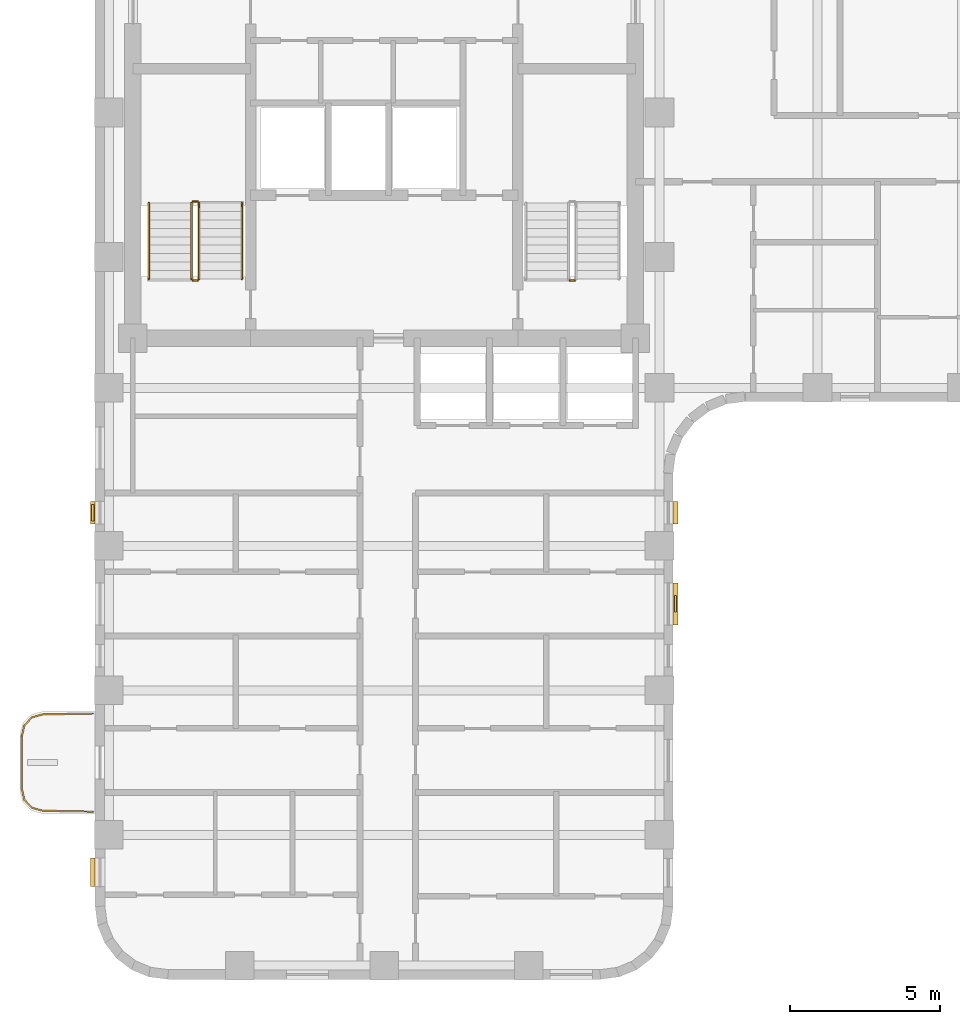
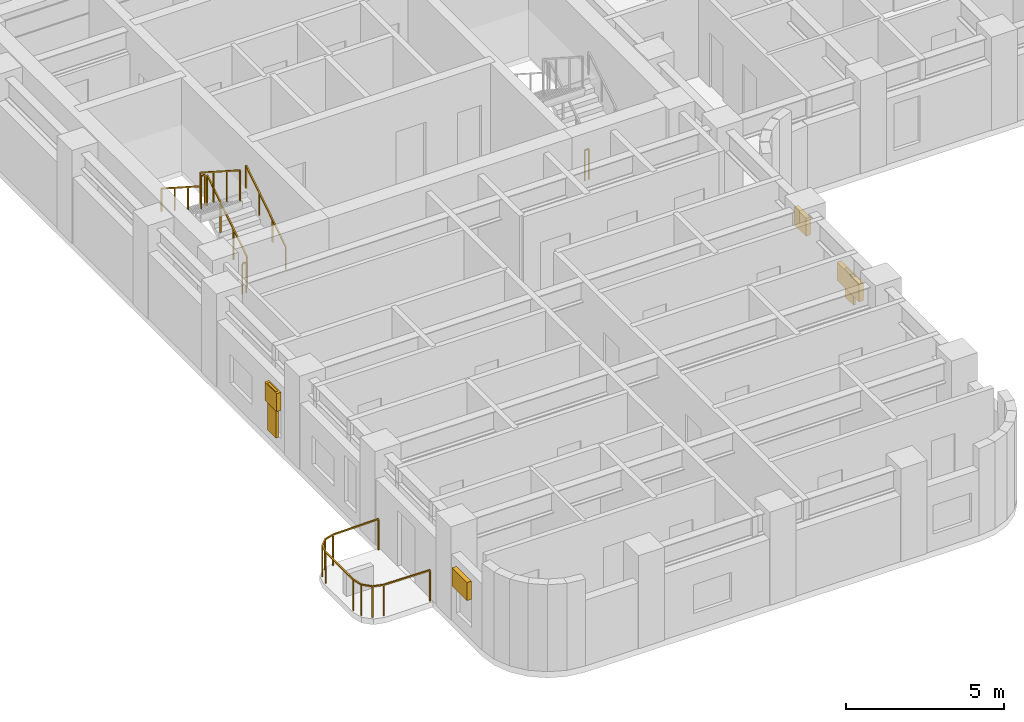
# One storey, part 8 of 10: 8 railings, 6 shading devices.
"""IFC4 building model written with IfcOpenShell, lengths in metres."""

from ifc_helpers import new_model, si_unit, direction, frame, origin, origin_2d, place, context, subcontext, project, spatial, rectangle, extrude, material, type_object, element, save


model = new_model("IFC4")

# Units and contexts
model_context = context("Model", 3, precision=1e-05, world=origin(), true_north=direction((0.0, 1.0)))
body_context = subcontext(model_context, "Body", "Model", "MODEL_VIEW")
ifc_project = project(units=[si_unit("LENGTHUNIT", "METRE"), si_unit("AREAUNIT", "SQUARE_METRE"), si_unit("VOLUMEUNIT", "CUBIC_METRE"), si_unit("PLANEANGLEUNIT", "RADIAN"), si_unit("MASSUNIT", "GRAM", prefix="KILO")], contexts=[model_context])

# Site, building, storey
site_placement = place(None, origin())
site = spatial("IfcSite", under=ifc_project, at=site_placement, CompositionType="ELEMENT")
building_placement = place(site_placement, origin())
building = spatial("IfcBuilding", under=site, at=building_placement, Name="Orvandelia Arch Residences", CompositionType="ELEMENT")
storey_placement = place(building_placement, frame((0.0, 0.0, 118.0)))
storey = spatial("IfcBuildingStorey", under=building, at=storey_placement, Name="L30", CompositionType="ELEMENT", Elevation=118.0)

# Railings
ifc_material_1 = material(Name="Marine-Grade Stainless Steel 316", Category="steel")
railing_type_1 = type_object("IfcRailingType", Name="GRD-BAL-1200", PredefinedType="BALUSTRADE", material=ifc_material_1)
railing_1_placement = place(storey_placement, frame((4.728271484375, 18.430419921875, 0.0)))
element("IfcRailing", 1, at=railing_1_placement, inside=storey, type_object=railing_type_1, Name="Safety Balustrade Guard GRD-L30-BAL-L30-W1-1", PredefinedType="BALUSTRADE", context=body_context, shape_type="SweptSolid", body=[
    extrude(rectangle(XDim=0.048095703125, YDim=0.048095703125, at=origin_2d()), frame((0.0, 0.0, 1.19580078125), z_axis=(-0.999834751713, -0.018178813668, 0.0), x_axis=(0.018178813668, -0.999834751713, 0.0)), (0.0, 0.0, 1.0), 1.6787109375),
    extrude(rectangle(XDim=0.048095703125, YDim=0.048095703125, at=origin_2d()), frame((-1.678466796875, -0.030517578125, 1.19580078125), z_axis=(-0.96348920644, -0.267747173792, 0.0), x_axis=(0.267747173792, -0.96348920644, 0.0)), (0.0, 0.0, 1.0), 0.36572265625),
    extrude(rectangle(XDim=0.048095703125, YDim=0.048095703125, at=origin_2d()), frame((-2.03076171875, -0.12841796875, 1.19580078125), z_axis=(-0.688627404251, -0.725115368831, 0.0), x_axis=(0.725115368831, -0.688627404251, 0.0)), (0.0, 0.0, 1.0), 0.367919921875),
    extrude(rectangle(XDim=0.048095703125, YDim=0.048095703125, at=origin_2d()), frame((-2.2841796875, -0.395263671875, 1.19580078125), z_axis=(-0.220602419982, -0.975363815352, 0.0), x_axis=(0.975363815352, -0.220602419982, 0.0)), (0.0, 0.0, 1.0), 0.373046875),
    extrude(rectangle(XDim=0.048095703125, YDim=0.048095703125, at=origin_2d()), frame((-2.366455078125, -0.759033203125, 1.19580078125), z_axis=(0.0, -1.0, 0.0), x_axis=(1.0, 0.0, 0.0)), (0.0, 0.0, 1.0), 1.74267578125),
    extrude(rectangle(XDim=0.048095703125, YDim=0.048095703125, at=origin_2d()), frame((-2.366455078125, -2.501708984375, 1.19580078125), z_axis=(0.220602419982, -0.975363815352, 0.0), x_axis=(0.975363815352, 0.220602419982, 0.0)), (0.0, 0.0, 1.0), 0.373046875),
    extrude(rectangle(XDim=0.048095703125, YDim=0.048095703125, at=origin_2d()), frame((-2.2841796875, -2.865478515625, 1.19580078125), z_axis=(0.688296224633, -0.725429739642, 0.0), x_axis=(0.725429739642, 0.688296224633, 0.0)), (0.0, 0.0, 1.0), 0.3681640625),
    extrude(rectangle(XDim=0.048095703125, YDim=0.048095703125, at=origin_2d()), frame((-2.03076171875, -3.132568359375, 1.19580078125), z_axis=(0.96348920644, -0.267747173792, 0.0), x_axis=(0.267747173792, 0.96348920644, 0.0)), (0.0, 0.0, 1.0), 0.36572265625),
    extrude(rectangle(XDim=0.048095703125, YDim=0.048095703125, at=origin_2d()), frame((-1.678466796875, -3.23046875, 1.19580078125), z_axis=(0.999837384468, -0.018033430643, 0.0), x_axis=(0.018033430643, 0.999837384468, 0.0)), (0.0, 0.0, 1.0), 1.6787109375),
    extrude(rectangle(XDim=0.0419921875, YDim=0.0419921875, at=origin_2d()), origin(), (0.0, 0.0, 1.0), 1.171875),
    extrude(rectangle(XDim=0.0419921875, YDim=0.0419921875, at=origin_2d()), frame((-1.678466796875, -0.030517578125, 0.0)), (0.0, 0.0, 1.0), 1.171875),
    extrude(rectangle(XDim=0.0419921875, YDim=0.0419921875, at=origin_2d()), frame((-2.03076171875, -0.12841796875, 0.0)), (0.0, 0.0, 1.0), 1.171875),
    extrude(rectangle(XDim=0.0419921875, YDim=0.0419921875, at=origin_2d()), frame((-2.2841796875, -0.395263671875, 0.0)), (0.0, 0.0, 1.0), 1.171875),
    extrude(rectangle(XDim=0.0419921875, YDim=0.0419921875, at=origin_2d()), frame((-2.366455078125, -0.759033203125, 0.0)), (0.0, 0.0, 1.0), 1.171875),
    extrude(rectangle(XDim=0.0419921875, YDim=0.0419921875, at=origin_2d()), frame((-2.366455078125, -2.501708984375, 0.0)), (0.0, 0.0, 1.0), 1.171875),
    extrude(rectangle(XDim=0.0419921875, YDim=0.0419921875, at=origin_2d()), frame((-2.2841796875, -2.865478515625, 0.0)), (0.0, 0.0, 1.0), 1.171875),
    extrude(rectangle(XDim=0.0419921875, YDim=0.0419921875, at=origin_2d()), frame((-2.03076171875, -3.132568359375, 0.0)), (0.0, 0.0, 1.0), 1.171875),
    extrude(rectangle(XDim=0.0419921875, YDim=0.0419921875, at=origin_2d()), frame((-1.678466796875, -3.23046875, 0.0)), (0.0, 0.0, 1.0), 1.171875),
    extrude(rectangle(XDim=0.0419921875, YDim=0.0419921875, at=origin_2d()), frame((0.0, -3.2607421875, 0.0)), (0.0, 0.0, 1.0), 1.171875),
])
ifc_material_2 = material(Name="Brushed Stainless Steel 304", Category="steel")
railing_type_2 = type_object("IfcRailingType", Name="RL-STAIR-GD1120", PredefinedType="GUARDRAIL", material=ifc_material_2)
railing_2_placement = place(storey_placement, frame((8.25, 32.8701171875, 0.179931640625)))
element("IfcRailing", 2, at=railing_2_placement, inside=storey, type_object=railing_type_2, Name="L30 ST-1 stair guard 1", PredefinedType="GUARDRAIL", context=body_context, shape_type="SweptSolid", body=[
    extrude(rectangle(XDim=0.048095703125, YDim=0.048095703125, at=origin_2d()), frame((0.0, 0.0, 1.17578125), z_axis=(0.0, 0.841138753965, 0.540819375188), x_axis=(-1.0, 0.0, 0.0)), (0.0, 0.0, 1.0), 2.99560546875),
    extrude(rectangle(XDim=0.0419921875, YDim=0.0419921875, at=origin_2d()), origin(), (0.0, 0.0, 1.0), 1.15185546875),
    extrude(rectangle(XDim=0.0419921875, YDim=0.0419921875, at=origin_2d()), frame((0.0, 0.83984375, 0.5400390625)), (0.0, 0.0, 1.0), 1.15185546875),
    extrude(rectangle(XDim=0.0419921875, YDim=0.0419921875, at=origin_2d()), frame((0.0, 1.679931640625, 1.080078125)), (0.0, 0.0, 1.0), 1.15185546875),
    extrude(rectangle(XDim=0.0419921875, YDim=0.0419921875, at=origin_2d()), frame((0.0, 2.519775390625, 1.6201171875)), (0.0, 0.0, 1.0), 1.15185546875),
])
railing_3_placement = place(storey_placement, frame((8.199951171875, 35.43994140625, 1.800048828125)))
element("IfcRailing", 3, at=railing_3_placement, inside=storey, type_object=railing_type_2, Name="L30 ST-1 stair guard 2", PredefinedType="GUARDRAIL", context=body_context, shape_type="SweptSolid", body=[
    extrude(rectangle(XDim=0.048095703125, YDim=0.048095703125, at=origin_2d()), frame((0.0, 0.0, 1.17578125), z_axis=(-1.0, 0.0, 0.0), x_axis=(0.0, -1.0, 0.0)), (0.0, 0.0, 1.0), 0.14990234375),
    extrude(rectangle(XDim=0.0419921875, YDim=0.0419921875, at=origin_2d()), origin(), (0.0, 0.0, 1.0), 1.15185546875),
    extrude(rectangle(XDim=0.0419921875, YDim=0.0419921875, at=origin_2d()), frame((-0.14990234375, 0.0, 0.0)), (0.0, 0.0, 1.0), 1.15185546875),
])
railing_4_placement = place(storey_placement, frame((8.0, 35.389892578125, 1.97998046875)))
element("IfcRailing", 4, at=railing_4_placement, inside=storey, type_object=railing_type_2, Name="L30 ST-1 stair guard 3", PredefinedType="GUARDRAIL", context=body_context, shape_type="SweptSolid", body=[
    extrude(rectangle(XDim=0.048095703125, YDim=0.048095703125, at=origin_2d()), frame((0.0, 0.0, 1.17578125), z_axis=(0.0, -0.841138753965, 0.540819375188), x_axis=(1.0, 0.0, 0.0)), (0.0, 0.0, 1.0), 2.99560546875),
    extrude(rectangle(XDim=0.0419921875, YDim=0.0419921875, at=origin_2d()), origin(), (0.0, 0.0, 1.0), 1.15185546875),
    extrude(rectangle(XDim=0.0419921875, YDim=0.0419921875, at=origin_2d()), frame((0.0, -0.83984375, 0.5400390625)), (0.0, 0.0, 1.0), 1.15185546875),
    extrude(rectangle(XDim=0.0419921875, YDim=0.0419921875, at=origin_2d()), frame((0.0, -1.679931640625, 1.080078125)), (0.0, 0.0, 1.0), 1.15185546875),
    extrude(rectangle(XDim=0.0419921875, YDim=0.0419921875, at=origin_2d()), frame((0.0, -2.519775390625, 1.6201171875)), (0.0, 0.0, 1.0), 1.15185546875),
])
for number, where, name in (
    (5, (8.199951171875, 32.820068359375, 0.0), "L30 ST-1 stair guard 4"),
    (6, (20.72998046875, 32.820068359375, 0.0), "L30 ST-2 stair guard 4"),
):
    element("IfcRailing", number, at=place(storey_placement, frame(where)), inside=storey, type_object=railing_type_2, Name=name, PredefinedType="GUARDRAIL", context=body_context, shape_type="SweptSolid", body=[
        extrude(rectangle(XDim=0.048095703125, YDim=0.048095703125, at=origin_2d()), frame((0.0, 0.0, 1.17578125), z_axis=(-1.0, 0.0, 0.0), x_axis=(0.0, -1.0, 0.0)), (0.0, 0.0, 1.0), 0.14990234375),
        extrude(rectangle(XDim=0.0419921875, YDim=0.0419921875, at=origin_2d()), origin(), (0.0, 0.0, 1.0), 1.15185546875),
        extrude(rectangle(XDim=0.0419921875, YDim=0.0419921875, at=origin_2d()), frame((-0.14990234375, 0.0, 0.0)), (0.0, 0.0, 1.0), 1.15185546875),
    ])
railing_type_3 = type_object("IfcRailingType", Name="RL-STAIR-HR920", PredefinedType="HANDRAIL", material=ifc_material_2)
railing_5_placement = place(storey_placement, frame((9.669921875, 32.8701171875, 0.360107421875)))
element("IfcRailing", 7, at=railing_5_placement, inside=storey, type_object=railing_type_3, Name="L30 ST-1 stair handrail 1", PredefinedType="HANDRAIL", context=body_context, shape_type="SweptSolid", body=[
    extrude(rectangle(XDim=0.048095703125, YDim=0.048095703125, at=origin_2d()), frame((0.0, 0.0, 0.8759765625), z_axis=(0.0, 0.841175827307, 0.540761710511), x_axis=(-1.0, 0.0, 0.0)), (0.0, 0.0, 1.0), 2.99560546875),
    extrude(rectangle(XDim=0.0419921875, YDim=0.0419921875, at=origin_2d()), origin(), (0.0, 0.0, 1.0), 0.851806640625),
    extrude(rectangle(XDim=0.0419921875, YDim=0.0419921875, at=origin_2d()), frame((0.0, 0.83984375, 0.5400390625)), (0.0, 0.0, 1.0), 0.851806640625),
    extrude(rectangle(XDim=0.0419921875, YDim=0.0419921875, at=origin_2d()), frame((0.0, 1.679931640625, 1.079833984375)), (0.0, 0.0, 1.0), 0.851806640625),
    extrude(rectangle(XDim=0.0419921875, YDim=0.0419921875, at=origin_2d()), frame((0.0, 2.519775390625, 1.619873046875)), (0.0, 0.0, 1.0), 0.851806640625),
])
railing_6_placement = place(storey_placement, frame((6.580078125, 35.389892578125, 2.159912109375)))
element("IfcRailing", 8, at=railing_6_placement, inside=storey, type_object=railing_type_3, Name="L30 ST-1 stair handrail 2", PredefinedType="HANDRAIL", context=body_context, shape_type="SweptSolid", body=[
    extrude(rectangle(XDim=0.048095703125, YDim=0.048095703125, at=origin_2d()), frame((0.0, 0.0, 0.8759765625), z_axis=(0.0, -0.841138753965, 0.540819375188), x_axis=(1.0, 0.0, 0.0)), (0.0, 0.0, 1.0), 2.99560546875),
    extrude(rectangle(XDim=0.0419921875, YDim=0.0419921875, at=origin_2d()), origin(), (0.0, 0.0, 1.0), 0.851806640625),
    extrude(rectangle(XDim=0.0419921875, YDim=0.0419921875, at=origin_2d()), frame((0.0, -0.83984375, 0.5400390625)), (0.0, 0.0, 1.0), 0.851806640625),
    extrude(rectangle(XDim=0.0419921875, YDim=0.0419921875, at=origin_2d()), frame((0.0, -1.679931640625, 1.080078125)), (0.0, 0.0, 1.0), 0.851806640625),
    extrude(rectangle(XDim=0.0419921875, YDim=0.0419921875, at=origin_2d()), frame((0.0, -2.519775390625, 1.6201171875)), (0.0, 0.0, 1.0), 0.851806640625),
])

# Shading devices
ifc_material_3 = material(Name="Anodised Champagne-Bronze Extruded Aluminium", Category="aluminium")
shading_device_type_1 = type_object("IfcShadingDeviceType", Name="SHD-JALOUSIE-SCREEN", PredefinedType="JALOUSIE", material=ifc_material_3)
shading_device_1_placement = place(storey_placement, frame((24.080078125, 22.070068359375, 1.0498046875), z_axis=(0.0, 0.0, 1.0), x_axis=(0.0, -1.0, 0.0)))
element("IfcShadingDevice", 9, at=shading_device_1_placement, inside=storey, type_object=shading_device_type_1, Name="Bronze Jalousie Sun-Shade L30-006", PredefinedType="JALOUSIE", context=body_context, shape_type="SweptSolid", body=[
    extrude(rectangle(XDim=1.39990234375, YDim=0.159912109375, at=origin_2d()), origin(), (0.0, 0.0, 1.0), 0.699951171875),
])
shading_device_2_placement = place(storey_placement, frame((24.080078125, 25.107421875, 1.5498046875), z_axis=(0.0, 0.0, 1.0), x_axis=(0.0, -1.0, 0.0)))
element("IfcShadingDevice", 10, at=shading_device_2_placement, inside=storey, type_object=shading_device_type_1, Name="Bronze Jalousie Sun-Shade L30-007", PredefinedType="JALOUSIE", context=body_context, shape_type="SweptSolid", body=[
    extrude(rectangle(XDim=0.75, YDim=0.159912109375, at=origin_2d()), origin(), (0.0, 0.0, 1.0), 0.699951171875),
])
shading_device_3_placement = place(storey_placement, frame((4.719970703125, 13.153564453125, 1.5498046875), z_axis=(0.0, 0.0, 1.0), x_axis=(0.0, 1.0, 0.0)))
element("IfcShadingDevice", 11, at=shading_device_3_placement, inside=storey, type_object=shading_device_type_1, Name="Bronze Jalousie Sun-Shade L30-008", PredefinedType="JALOUSIE", context=body_context, shape_type="SweptSolid", body=[
    extrude(rectangle(XDim=0.949951171875, YDim=0.159912109375, at=origin_2d()), origin(), (0.0, 0.0, 1.0), 0.699951171875),
])
shading_device_4_placement = place(storey_placement, frame((4.719970703125, 25.107421875, 1.5498046875), z_axis=(0.0, 0.0, 1.0), x_axis=(0.0, 1.0, 0.0)))
element("IfcShadingDevice", 12, at=shading_device_4_placement, inside=storey, type_object=shading_device_type_1, Name="Bronze Jalousie Sun-Shade L30-009", PredefinedType="JALOUSIE", context=body_context, shape_type="SweptSolid", body=[
    extrude(rectangle(XDim=0.75, YDim=0.159912109375, at=origin_2d()), origin(), (0.0, 0.0, 1.0), 0.699951171875),
])
ifc_material_4 = material(Name="Marine-Grade Perforated Aluminium Storm Shutter", Category="aluminium")
shading_device_type_2 = type_object("IfcShadingDeviceType", Name="SHD-STORM-SHUTTER", PredefinedType="SHUTTER", material=ifc_material_4)
shading_device_5_placement = place(storey_placement, frame((24.080078125, 22.070068359375, 0.64990234375), z_axis=(0.0, 0.0, 1.0), x_axis=(0.0, -1.0, 0.0)))
element("IfcShadingDevice", 13, at=shading_device_5_placement, inside=storey, type_object=shading_device_type_2, Name="Operable Typhoon Storm Shutter L30-006", PredefinedType="SHUTTER", context=body_context, shape_type="SweptSolid", body=[
    extrude(rectangle(XDim=0.550048828125, YDim=0.080078125, at=origin_2d()), origin(), (0.0, 0.0, 1.0), 1.10009765625),
])
shading_device_6_placement = place(storey_placement, frame((4.719970703125, 25.107421875, 0.4501953125), z_axis=(0.0, 0.0, 1.0), x_axis=(0.0, 1.0, 0.0)))
element("IfcShadingDevice", 14, at=shading_device_6_placement, inside=storey, type_object=shading_device_type_2, Name="Operable Typhoon Storm Shutter L30-009", PredefinedType="SHUTTER", context=body_context, shape_type="SweptSolid", body=[
    extrude(rectangle(XDim=0.550048828125, YDim=0.080078125, at=origin_2d()), origin(), (0.0, 0.0, 1.0), 1.800048828125),
])

save(model, "model.ifc")
